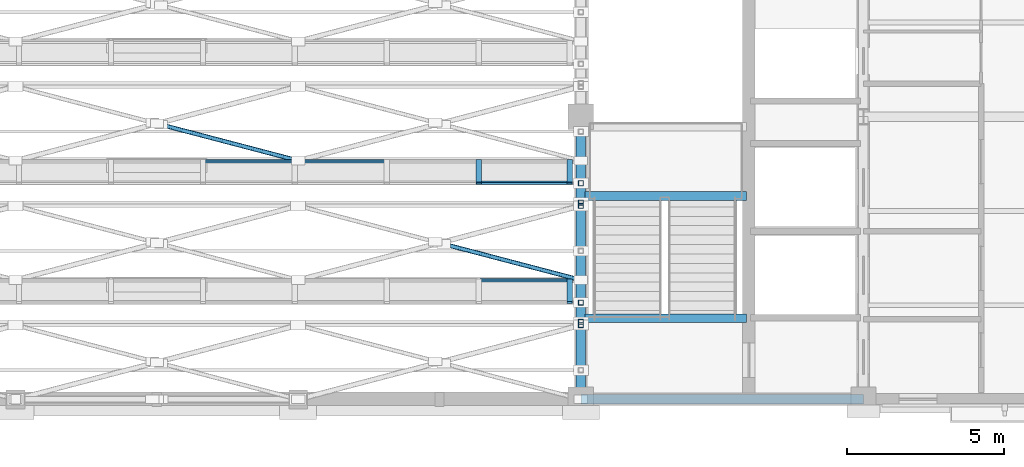
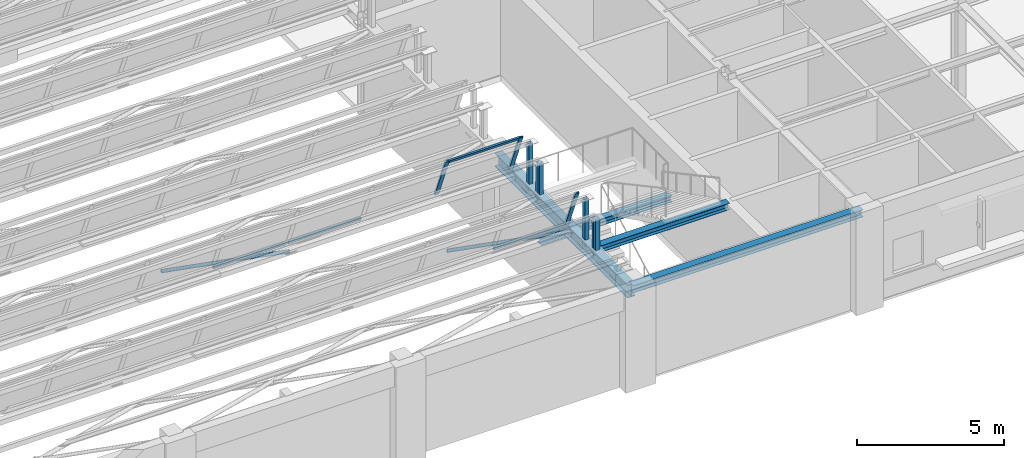
# One storey, part 19 of 108: 15 members, 4 beams, 2 elements without a shape of their own.
"""IFC4 building model written with IfcOpenShell, lengths in metres."""

from ifc_helpers import new_model, si_unit, direction, frame, origin, origin_2d, place, context, subcontext, project, spatial, hollow_rectangle, hollow_circle, i_section, extrude, material, material_profile, profile_set, type_object, element, aggregate, save


model = new_model("IFC4")

# Units and contexts
model_context = context("Model", 3, precision=1e-05, world=origin(), true_north=direction((0.0, 1.0)))
body_context = subcontext(model_context, "Body", "Model", "MODEL_VIEW")
ifc_project = project(units=[si_unit("LENGTHUNIT", "METRE"), si_unit("AREAUNIT", "SQUARE_METRE"), si_unit("VOLUMEUNIT", "CUBIC_METRE"), si_unit("PLANEANGLEUNIT", "RADIAN"), si_unit("MASSUNIT", "GRAM", prefix="KILO")], contexts=[model_context])

# Site, building, storey
site_placement = place(None, origin())
site = spatial("IfcSite", under=ifc_project, at=site_placement, CompositionType="ELEMENT")
building_placement = place(site_placement, origin())
building = spatial("IfcBuilding", under=site, at=building_placement, Name="Lykobir Media Centre", CompositionType="ELEMENT")
storey_placement = place(building_placement, frame((0.0, 0.0, 15.0)))
storey = spatial("IfcBuildingStorey", under=building, at=storey_placement, Name="L03", CompositionType="ELEMENT", Elevation=15.0)

# Beams
ifc_material_1 = material(Name="Steel S355", Category="steel")
ifc_material_profile_1 = material_profile(ifc_material_1, i_section(OverallWidth=0.300048828125, OverallDepth=0.550048828125, WebThickness=0.014892578125, FlangeThickness=0.029052734375, at=origin_2d()), Name="HEB 550")
ifc_profile_set_1 = profile_set([ifc_material_profile_1], Name="Steel S355")
beam_type_1 = type_object("IfcBeamType", Name="BM-SAW550", PredefinedType="BEAM", material=ifc_profile_set_1)
beam_1_placement = place(storey_placement, frame((27.0, 0.0, 3.675048828125), z_axis=(0.0, 1.0, 0.0), x_axis=(-1.0, 0.0, 0.0)))
element("IfcBeam", 1, at=beam_1_placement, inside=storey, type_object=beam_type_1, Name="Beam BM-L03-0270-0000-0270-0090-1868", PredefinedType="BEAM", context=body_context, shape_type="SweptSolid", body=[
    extrude(i_section(OverallWidth=0.300048828125, OverallDepth=0.550048828125, WebThickness=0.014892578125, FlangeThickness=0.029052734375, at=origin_2d()), origin(), (0.0, 0.0, 1.0), 9.0),
])
ifc_material_profile_2 = material_profile(ifc_material_1, i_section(OverallWidth=0.280029296875, OverallDepth=0.27001953125, WebThickness=0.008056640625, FlangeThickness=0.012939453125, at=origin_2d()), Name="HEA 280")
ifc_profile_set_2 = profile_set([ifc_material_profile_2], Name="Steel S355")
beam_type_2 = type_object("IfcBeamType", Name="BM-ST280", PredefinedType="BEAM", material=ifc_profile_set_2)
for number, where, z_axis, x_axis, name in (
    (2, (27.1298828125, 2.580078125, 3.824951171875), (1.0, 0.0, 0.0), (0.0, 1.0, 0.0), "ST-1 L03 arrival trimmer beam"),
    (3, (27.1298828125, 6.47998046875, 1.77001953125), (1.0, 0.0, 0.0), (0.0, 1.0, 0.0), "ST-1 L03 mid-landing trimmer beam"),
):
    element("IfcBeam", number, at=place(storey_placement, frame(where, z_axis=z_axis, x_axis=x_axis)), inside=storey, type_object=beam_type_2, Name=name, PredefinedType="BEAM", context=body_context, shape_type="SweptSolid", body=[
        extrude(i_section(OverallWidth=0.280029296875, OverallDepth=0.27001953125, WebThickness=0.008056640625, FlangeThickness=0.012939453125, at=origin_2d()), origin(), (0.0, 0.0, 1.0), 5.14013671875),
    ])

# Members
ifc_material_profile_3 = material_profile(ifc_material_1, hollow_circle(Radius=0.06982421875, WallThickness=0.008056640625, at=origin_2d()), Name="CHS 139.7x8.0")
ifc_profile_set_3 = profile_set([ifc_material_profile_3], Name="Steel S355")
member_type_1 = type_object("IfcMemberType", Name="BR-CHS140", PredefinedType="BRACE", material=ifc_profile_set_3)
for number, where, z_axis, x_axis, name in (
    (4, (27.0, 3.800048828125, 3.840087890625), (-0.967266997824, 0.253760822274, 0.0), (-0.253760822274, -0.967266997824, 0.0), "Diagonal brace MEM2-L03-0270-0038-0188-0226-0049-0175"),
    (5, (18.0, 7.60009765625, 3.840087890625), (-0.967266997824, 0.253760822274, 0.0), (-0.253760822274, -0.967266997824, 0.0), "Diagonal brace MEM2-L03-0180-0076-0188-0136-0087-0192"),
):
    element("IfcMember", number, at=place(storey_placement, frame(where, z_axis=z_axis, x_axis=x_axis)), inside=storey, type_object=member_type_1, Name=name, PredefinedType="BRACE", context=body_context, shape_type="SweptSolid", body=[
        extrude(hollow_circle(Radius=0.06982421875, WallThickness=0.008056640625, at=origin_2d()), origin(), (0.0, 0.0, 1.0), 4.51220703125),
    ])
ifc_material_profile_4 = material_profile(ifc_material_1, hollow_rectangle(XDim=0.159912109375, YDim=0.159912109375, WallThickness=0.008056640625, at=origin_2d()), Name="SHS 160x160x8")
ifc_profile_set_4 = profile_set([ifc_material_profile_4], Name="Steel S355")
member_type_2 = type_object("IfcMemberType", Name="BR-SHS160", PredefinedType="BRACE", material=ifc_profile_set_4)
member_1_placement = place(storey_placement, frame((27.0, 3.081298828125, 3.699951171875), z_axis=(0.0, 0.0, 1.0), x_axis=(1.0, 0.0, 0.0)))
element("IfcMember", 6, at=member_1_placement, inside=storey, type_object=member_type_2, Name="Diagonal brace MEM2-L03-0270-0031-0187-0270-0031-0143", PredefinedType="BRACE", context=body_context, shape_type="SweptSolid", body=[
    extrude(hollow_rectangle(XDim=0.159912109375, YDim=0.159912109375, WallThickness=0.008056640625, at=origin_2d()), origin(), (0.0, 0.0, 1.0), 1.928955078125),
])
member_2_placement = place(storey_placement, frame((27.0, 2.361328125, 3.840087890625), z_axis=(0.0, 0.0, 1.0), x_axis=(1.0, 0.0, 0.0)))
element("IfcMember", 7, at=member_2_placement, inside=storey, type_object=member_type_2, Name="Diagonal brace MEM2-L03-0270-0024-0188-0270-0024-0145", PredefinedType="BRACE", context=body_context, shape_type="SweptSolid", body=[
    extrude(hollow_rectangle(XDim=0.159912109375, YDim=0.159912109375, WallThickness=0.008056640625, at=origin_2d()), origin(), (0.0, 0.0, 1.0), 1.4033203125),
])
member_3_placement = place(storey_placement, frame((27.0, 2.468017578125, 3.699951171875), z_axis=(0.0, 0.0, 1.0), x_axis=(1.0, 0.0, 0.0)))
element("IfcMember", 8, at=member_3_placement, inside=storey, type_object=member_type_2, Name="Diagonal brace MEM2-L03-0270-0025-0187-0270-0025-0160", PredefinedType="BRACE", context=body_context, shape_type="SweptSolid", body=[
    extrude(hollow_rectangle(XDim=0.159912109375, YDim=0.159912109375, WallThickness=0.008056640625, at=origin_2d()), origin(), (0.0, 0.0, 1.0), 1.472412109375),
])
member_4_placement = place(storey_placement, frame((27.0, 6.88134765625, 3.699951171875), z_axis=(0.0, 0.0, 1.0), x_axis=(1.0, 0.0, 0.0)))
element("IfcMember", 9, at=member_4_placement, inside=storey, type_object=member_type_2, Name="Diagonal brace MEM2-L03-0270-0069-0187-0270-0069-0163", PredefinedType="BRACE", context=body_context, shape_type="SweptSolid", body=[
    extrude(hollow_rectangle(XDim=0.159912109375, YDim=0.159912109375, WallThickness=0.008056640625, at=origin_2d()), origin(), (0.0, 0.0, 1.0), 1.928955078125),
])
member_5_placement = place(storey_placement, frame((27.0, 6.161376953125, 3.840087890625), z_axis=(0.0, 0.0, 1.0), x_axis=(1.0, 0.0, 0.0)))
element("IfcMember", 10, at=member_5_placement, inside=storey, type_object=member_type_2, Name="Diagonal brace MEM2-L03-0270-0062-0188-0270-0062-0165", PredefinedType="BRACE", context=body_context, shape_type="SweptSolid", body=[
    extrude(hollow_rectangle(XDim=0.159912109375, YDim=0.159912109375, WallThickness=0.008056640625, at=origin_2d()), origin(), (0.0, 0.0, 1.0), 1.4033203125),
])
member_6_placement = place(storey_placement, frame((27.0, 6.267822265625, 3.699951171875), z_axis=(0.0, 0.0, 1.0), x_axis=(1.0, 0.0, 0.0)))
element("IfcMember", 11, at=member_6_placement, inside=storey, type_object=member_type_2, Name="Diagonal brace MEM2-L03-0270-0063-0187-0270-0063-0180", PredefinedType="BRACE", context=body_context, shape_type="SweptSolid", body=[
    extrude(hollow_rectangle(XDim=0.159912109375, YDim=0.159912109375, WallThickness=0.008056640625, at=origin_2d()), origin(), (0.0, 0.0, 1.0), 1.472412109375),
])

# Curtain wall, member
ifc_material_2 = material(Name="Anodized Aluminium AW-6060", Category="aluminium")
curtain_wall_type = type_object("IfcCurtainWallType", Name="CW-NL-V1", PredefinedType="NOTDEFINED", material=ifc_material_2)
curtain_wall_1_placement = place(storey_placement, origin())
curtain_wall_1 = element("IfcCurtainWall", 12, at=curtain_wall_1_placement, inside=storey, type_object=curtain_wall_type, Name="Curtain wall CW-NL-V1-01", PredefinedType="NOTDEFINED")
ifc_material_profile_5 = material_profile(ifc_material_2, hollow_rectangle(XDim=0.070068359375, YDim=0.1650390625, WallThickness=0.00390625, at=origin_2d()), Name="ALU MULLION 70x165")
ifc_profile_set_5 = profile_set([ifc_material_profile_5], Name="Anodized Aluminium AW-6060")
member_type_3 = type_object("IfcMemberType", Name="CWM-165", PredefinedType="MULLION", material=ifc_profile_set_5)
member_7_placement = place(storey_placement, frame((26.64501953125, 3.800048828125, 4.199951171875), z_axis=(0.0, -0.374591377287, 0.927190002137), x_axis=(0.0, 0.927190002137, 0.374591377287)))
member_7 = element("IfcMember", 13, at=member_7_placement, type_object=member_type_3, Name="CW-NL-V1-01 mullion 10", PredefinedType="MULLION", context=body_context, shape_type="SweptSolid", body=[
    extrude(hollow_rectangle(XDim=0.070068359375, YDim=0.1650390625, WallThickness=0.00390625, at=origin_2d()), origin(), (0.0, 0.0, 1.0), 1.918701171875),
])

# Curtain wall, members
curtain_wall_2_placement = place(storey_placement, origin())
curtain_wall_2 = element("IfcCurtainWall", 14, at=curtain_wall_2_placement, inside=storey, type_object=curtain_wall_type, Name="Curtain wall CW-NL-V1-02", PredefinedType="NOTDEFINED")
member_8_placement = place(storey_placement, frame((23.751220703125, 7.60009765625, 4.199951171875), z_axis=(0.0, -0.374700754386, 0.927145805504), x_axis=(0.0, 0.927145805504, 0.374700754386)))
member_8 = element("IfcMember", 15, at=member_8_placement, type_object=member_type_3, Name="CW-NL-V1-02 mullion 9", PredefinedType="MULLION", context=body_context, shape_type="SweptSolid", body=[
    extrude(hollow_rectangle(XDim=0.070068359375, YDim=0.1650390625, WallThickness=0.00390625, at=origin_2d()), origin(), (0.0, 0.0, 1.0), 1.9189453125),
])
member_9_placement = place(storey_placement, frame((26.64501953125, 7.60009765625, 4.199951171875), z_axis=(0.0, -0.374700754386, 0.927145805504), x_axis=(0.0, 0.927145805504, 0.374700754386)))
member_9 = element("IfcMember", 16, at=member_9_placement, type_object=member_type_3, Name="CW-NL-V1-02 mullion 10", PredefinedType="MULLION", context=body_context, shape_type="SweptSolid", body=[
    extrude(hollow_rectangle(XDim=0.070068359375, YDim=0.1650390625, WallThickness=0.00390625, at=origin_2d()), origin(), (0.0, 0.0, 1.0), 1.9189453125),
])

# Member
ifc_material_profile_6 = material_profile(ifc_material_2, hollow_rectangle(XDim=0.070068359375, YDim=0.135009765625, WallThickness=0.00341796875, at=origin_2d()), Name="ALU TRANSOM 70x135")
ifc_profile_set_6 = profile_set([ifc_material_profile_6], Name="Anodized Aluminium AW-6060")
member_type_4 = type_object("IfcMemberType", Name="CWT-135", PredefinedType="USERDEFINED", material=ifc_profile_set_6)
member_10_placement = place(storey_placement, frame((23.7861328125, 3.786865234375, 4.232421875), z_axis=(1.0, 0.0, 0.0), x_axis=(0.0, 0.927183854567, 0.374606593416)))
member_10 = element("IfcMember", 17, at=member_10_placement, type_object=member_type_4, Name="CW-NL-V1-01 transom 9.1", ObjectType="TRANSOM", PredefinedType="USERDEFINED", context=body_context, shape_type="SweptSolid", body=[
    extrude(hollow_rectangle(XDim=0.070068359375, YDim=0.135009765625, WallThickness=0.00341796875, at=origin_2d()), origin(), (0.0, 0.0, 1.0), 2.823974609375),
])

aggregate(curtain_wall_1, [member_7, member_10])

member_11_placement = place(storey_placement, frame((14.99951171875, 7.5869140625, 4.232421875), z_axis=(1.0, 0.0, 0.0), x_axis=(0.0, 0.927183854567, 0.374606593416)))
member_11 = element("IfcMember", 18, at=member_11_placement, type_object=member_type_4, Name="CW-NL-V1-02 transom 6.1", ObjectType="TRANSOM", PredefinedType="USERDEFINED", context=body_context, shape_type="SweptSolid", body=[
    extrude(hollow_rectangle(XDim=0.070068359375, YDim=0.135009765625, WallThickness=0.00341796875, at=origin_2d()), origin(), (0.0, 0.0, 1.0), 2.85888671875),
])

member_12_placement = place(storey_placement, frame((17.92822265625, 7.5869140625, 4.232421875), z_axis=(1.0, 0.0, 0.0), x_axis=(0.0, 0.927183854567, 0.374606593416)))
member_12 = element("IfcMember", 19, at=member_12_placement, type_object=member_type_4, Name="CW-NL-V1-02 transom 7.1", ObjectType="TRANSOM", PredefinedType="USERDEFINED", context=body_context, shape_type="SweptSolid", body=[
    extrude(hollow_rectangle(XDim=0.070068359375, YDim=0.135009765625, WallThickness=0.00341796875, at=origin_2d()), origin(), (0.0, 0.0, 1.0), 2.85888671875),
])

member_13_placement = place(storey_placement, frame((23.7861328125, 6.894287109375, 5.946533203125), z_axis=(1.0, 0.0, 0.0), x_axis=(0.0, 0.927183854567, 0.374606593416)))
member_13 = element("IfcMember", 20, at=member_13_placement, type_object=member_type_4, Name="CW-NL-V1-02 transom 9.2", ObjectType="TRANSOM", PredefinedType="USERDEFINED", context=body_context, shape_type="SweptSolid", body=[
    extrude(hollow_rectangle(XDim=0.070068359375, YDim=0.135009765625, WallThickness=0.00341796875, at=origin_2d()), origin(), (0.0, 0.0, 1.0), 2.823974609375),
])

aggregate(curtain_wall_2, [member_8, member_9, member_11, member_12, member_13])

# Beam
ifc_material_profile_7 = material_profile(ifc_material_1, i_section(OverallWidth=0.300048828125, OverallDepth=0.31005859375, WebThickness=0.009033203125, FlangeThickness=0.015380859375, at=origin_2d()), Name="HEA 320")
ifc_profile_set_7 = profile_set([ifc_material_profile_7], Name="Steel S355")
beam_type_3 = type_object("IfcBeamType", Name="SP-HEA320-E", PredefinedType="SPANDREL", material=ifc_profile_set_7)
beam_2_placement = place(storey_placement, frame((27.0, 0.0, 3.804931640625), z_axis=(1.0, 0.0, 0.0), x_axis=(0.0, 1.0, 0.0)))
element("IfcBeam", 21, at=beam_2_placement, inside=storey, type_object=beam_type_3, Name="Beam BM-L03-0270-0000-0360-0000-1880", PredefinedType="SPANDREL", context=body_context, shape_type="SweptSolid", body=[
    extrude(i_section(OverallWidth=0.300048828125, OverallDepth=0.31005859375, WebThickness=0.009033203125, FlangeThickness=0.015380859375, at=origin_2d()), origin(), (0.0, 0.0, 1.0), 9.0),
])

save(model, "model.ifc")
